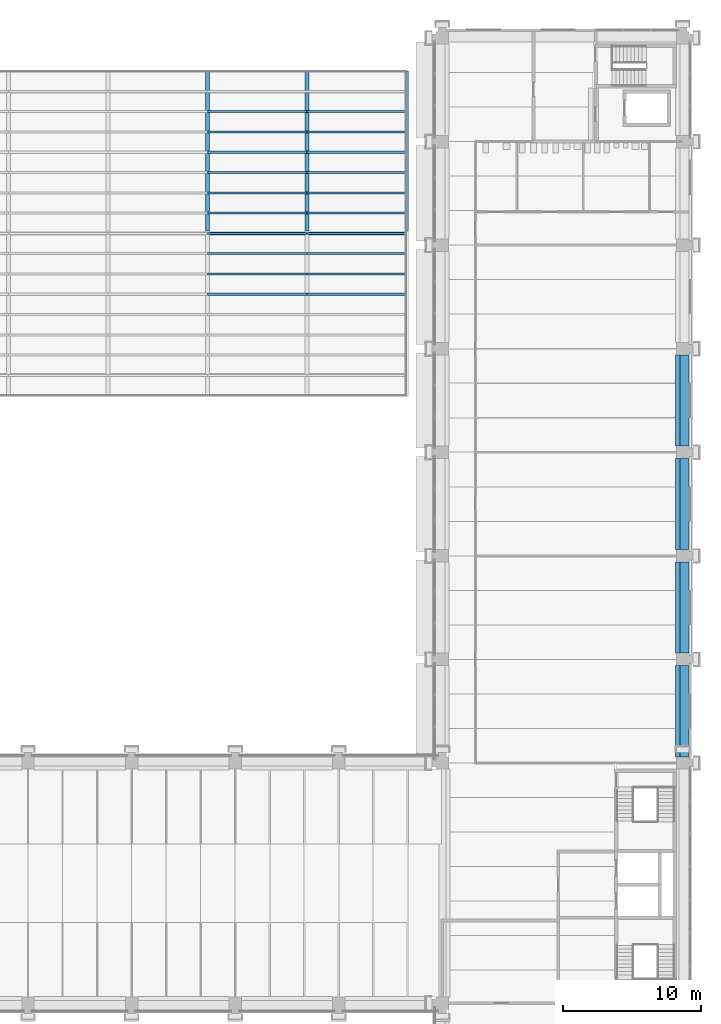
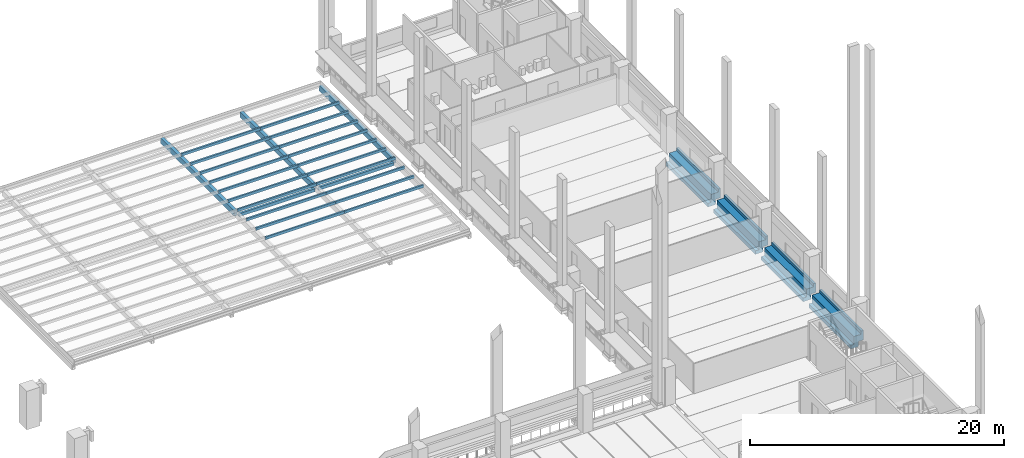
# One storey, part 24 of 67: 20 members, 9 beams.
"""IFC4 building model written with IfcOpenShell, lengths in metres."""

from ifc_helpers import new_model, si_unit, direction, frame, origin, origin_2d, place, context, subcontext, project, spatial, polyline, hollow_rectangle, outline, extrude, material, material_profile, profile_set, type_object, element, save


model = new_model("IFC4")

# Units and contexts
model_context = context("Model", 3, precision=1e-05, world=origin(), true_north=direction((0.0, 1.0)))
body_context = subcontext(model_context, "Body", "Model", "MODEL_VIEW")
ifc_project = project(units=[si_unit("LENGTHUNIT", "METRE"), si_unit("AREAUNIT", "SQUARE_METRE"), si_unit("VOLUMEUNIT", "CUBIC_METRE"), si_unit("PLANEANGLEUNIT", "RADIAN"), si_unit("MASSUNIT", "GRAM", prefix="KILO")], contexts=[model_context])

# Site, building, storey
site_placement = place(None, origin())
site = spatial("IfcSite", under=ifc_project, at=site_placement, CompositionType="ELEMENT")
building_placement = place(site_placement, origin())
building = spatial("IfcBuilding", under=site, at=building_placement, Name="Cour d'Honneur Mobility Palace", CompositionType="ELEMENT")
storey_placement = place(building_placement, frame((0.0, 0.0, 4.5)))
storey = spatial("IfcBuildingStorey", under=building, at=storey_placement, Name="L01", CompositionType="ELEMENT", Elevation=4.5)

# Beams
ifc_material_1 = material(Name="Steel S355", Category="steel")
ifc_material_profile_1 = material_profile(ifc_material_1, hollow_rectangle(XDim=0.300048828125, YDim=0.5, WallThickness=0.01611328125, at=origin_2d()), Name="RHS 500x300x16")
ifc_profile_set_1 = profile_set([ifc_material_profile_1], Name="Steel S355")
beam_type_1 = type_object("IfcBeamType", Name="Canopy main beam RHS 500x300x16", PredefinedType="BEAM", material=ifc_profile_set_1)
for number, where, z_axis, x_axis, name in (
    (1, (127.89990234375, 100.911865234375, 0.75), (0.0, 1.0, 0.0), (-1.0, 0.0, 0.0), "Canopy main beam FCM-E4.2"),
    (2, (135.10009765625, 100.911865234375, 0.75), (0.0, 1.0, 0.0), (-1.0, 0.0, 0.0), "Canopy main beam FCM-E5.2"),
    (3, (142.300048828125, 100.911865234375, 0.75), (0.0, 1.0, 0.0), (-1.0, 0.0, 0.0), "Canopy main beam FCM-E6.2"),
):
    element("IfcBeam", number, at=place(storey_placement, frame(where, z_axis=z_axis, x_axis=x_axis)), inside=storey, type_object=beam_type_1, Name=name, PredefinedType="BEAM", context=body_context, shape_type="SweptSolid", body=[
        extrude(hollow_rectangle(XDim=0.300048828125, YDim=0.5, WallThickness=0.01611328125, at=origin_2d()), origin(), (0.0, 0.0, 1.0), 11.588134765625),
    ])

# Members
ifc_material_2 = material(Name="Steel S355", Category="steel")
ifc_material_profile_2 = material_profile(ifc_material_2, hollow_rectangle(XDim=0.14990234375, YDim=0.25, WallThickness=0.010009765625, at=origin_2d()), Name="RHS 250x150x10")
ifc_profile_set_2 = profile_set([ifc_material_profile_2], Name="Steel S355")
member_type = type_object("IfcMemberType", Name="Canopy purlin RHS 250x150x10", PredefinedType="PURLIN", material=ifc_profile_set_2)
member_1_placement = place(storey_placement, frame((127.89990234375, 96.34375, 1.125), z_axis=(1.0, 0.0, 0.0), x_axis=(0.0, 1.0, 0.0)))
element("IfcMember", 4, at=member_1_placement, inside=storey, type_object=member_type, Name="Canopy purlin FCP-E6.4", PredefinedType="PURLIN", context=body_context, shape_type="SweptSolid", body=[
    extrude(hollow_rectangle(XDim=0.14990234375, YDim=0.25, WallThickness=0.010009765625, at=origin_2d()), origin(), (0.0, 0.0, 1.0), 7.2001953125),
])
member_2_placement = place(storey_placement, frame((135.10009765625, 96.34375, 1.125), z_axis=(1.0, 0.0, 0.0), x_axis=(0.0, 1.0, 0.0)))
element("IfcMember", 5, at=member_2_placement, inside=storey, type_object=member_type, Name="Canopy purlin FCP-E6.5", PredefinedType="PURLIN", context=body_context, shape_type="SweptSolid", body=[
    extrude(hollow_rectangle(XDim=0.14990234375, YDim=0.25, WallThickness=0.010009765625, at=origin_2d()), origin(), (0.0, 0.0, 1.0), 7.199951171875),
])
member_3_placement = place(storey_placement, frame((127.89990234375, 97.8125, 1.125), z_axis=(1.0, 0.0, 0.0), x_axis=(0.0, 1.0, 0.0)))
element("IfcMember", 6, at=member_3_placement, inside=storey, type_object=member_type, Name="Canopy purlin FCP-E7.4", PredefinedType="PURLIN", context=body_context, shape_type="SweptSolid", body=[
    extrude(hollow_rectangle(XDim=0.14990234375, YDim=0.25, WallThickness=0.010009765625, at=origin_2d()), origin(), (0.0, 0.0, 1.0), 7.2001953125),
])
member_4_placement = place(storey_placement, frame((135.10009765625, 97.8125, 1.125), z_axis=(1.0, 0.0, 0.0), x_axis=(0.0, 1.0, 0.0)))
element("IfcMember", 7, at=member_4_placement, inside=storey, type_object=member_type, Name="Canopy purlin FCP-E7.5", PredefinedType="PURLIN", context=body_context, shape_type="SweptSolid", body=[
    extrude(hollow_rectangle(XDim=0.14990234375, YDim=0.25, WallThickness=0.010009765625, at=origin_2d()), origin(), (0.0, 0.0, 1.0), 7.199951171875),
])
member_5_placement = place(storey_placement, frame((127.89990234375, 99.28125, 1.125), z_axis=(1.0, 0.0, 0.0), x_axis=(0.0, 1.0, 0.0)))
element("IfcMember", 8, at=member_5_placement, inside=storey, type_object=member_type, Name="Canopy purlin FCP-E8.4", PredefinedType="PURLIN", context=body_context, shape_type="SweptSolid", body=[
    extrude(hollow_rectangle(XDim=0.14990234375, YDim=0.25, WallThickness=0.010009765625, at=origin_2d()), origin(), (0.0, 0.0, 1.0), 7.2001953125),
])
member_6_placement = place(storey_placement, frame((135.10009765625, 99.28125, 1.125), z_axis=(1.0, 0.0, 0.0), x_axis=(0.0, 1.0, 0.0)))
element("IfcMember", 9, at=member_6_placement, inside=storey, type_object=member_type, Name="Canopy purlin FCP-E8.5", PredefinedType="PURLIN", context=body_context, shape_type="SweptSolid", body=[
    extrude(hollow_rectangle(XDim=0.14990234375, YDim=0.25, WallThickness=0.010009765625, at=origin_2d()), origin(), (0.0, 0.0, 1.0), 7.199951171875),
])
member_7_placement = place(storey_placement, frame((127.89990234375, 100.75, 1.125), z_axis=(1.0, 0.0, 0.0), x_axis=(0.0, 1.0, 0.0)))
element("IfcMember", 10, at=member_7_placement, inside=storey, type_object=member_type, Name="Canopy purlin FCP-E9.4", PredefinedType="PURLIN", context=body_context, shape_type="SweptSolid", body=[
    extrude(hollow_rectangle(XDim=0.14990234375, YDim=0.25, WallThickness=0.010009765625, at=origin_2d()), origin(), (0.0, 0.0, 1.0), 7.2001953125),
])
member_8_placement = place(storey_placement, frame((135.10009765625, 100.75, 1.125), z_axis=(1.0, 0.0, 0.0), x_axis=(0.0, 1.0, 0.0)))
element("IfcMember", 11, at=member_8_placement, inside=storey, type_object=member_type, Name="Canopy purlin FCP-E9.5", PredefinedType="PURLIN", context=body_context, shape_type="SweptSolid", body=[
    extrude(hollow_rectangle(XDim=0.14990234375, YDim=0.25, WallThickness=0.010009765625, at=origin_2d()), origin(), (0.0, 0.0, 1.0), 7.199951171875),
])
member_9_placement = place(storey_placement, frame((127.89990234375, 102.21875, 1.125), z_axis=(1.0, 0.0, 0.0), x_axis=(0.0, 1.0, 0.0)))
element("IfcMember", 12, at=member_9_placement, inside=storey, type_object=member_type, Name="Canopy purlin FCP-E10.4", PredefinedType="PURLIN", context=body_context, shape_type="SweptSolid", body=[
    extrude(hollow_rectangle(XDim=0.14990234375, YDim=0.25, WallThickness=0.010009765625, at=origin_2d()), origin(), (0.0, 0.0, 1.0), 7.2001953125),
])
member_10_placement = place(storey_placement, frame((135.10009765625, 102.21875, 1.125), z_axis=(1.0, 0.0, 0.0), x_axis=(0.0, 1.0, 0.0)))
element("IfcMember", 13, at=member_10_placement, inside=storey, type_object=member_type, Name="Canopy purlin FCP-E10.5", PredefinedType="PURLIN", context=body_context, shape_type="SweptSolid", body=[
    extrude(hollow_rectangle(XDim=0.14990234375, YDim=0.25, WallThickness=0.010009765625, at=origin_2d()), origin(), (0.0, 0.0, 1.0), 7.199951171875),
])
member_11_placement = place(storey_placement, frame((127.89990234375, 103.6875, 1.125), z_axis=(1.0, 0.0, 0.0), x_axis=(0.0, 1.0, 0.0)))
element("IfcMember", 14, at=member_11_placement, inside=storey, type_object=member_type, Name="Canopy purlin FCP-E11.4", PredefinedType="PURLIN", context=body_context, shape_type="SweptSolid", body=[
    extrude(hollow_rectangle(XDim=0.14990234375, YDim=0.25, WallThickness=0.010009765625, at=origin_2d()), origin(), (0.0, 0.0, 1.0), 7.2001953125),
])
member_12_placement = place(storey_placement, frame((135.10009765625, 103.6875, 1.125), z_axis=(1.0, 0.0, 0.0), x_axis=(0.0, 1.0, 0.0)))
element("IfcMember", 15, at=member_12_placement, inside=storey, type_object=member_type, Name="Canopy purlin FCP-E11.5", PredefinedType="PURLIN", context=body_context, shape_type="SweptSolid", body=[
    extrude(hollow_rectangle(XDim=0.14990234375, YDim=0.25, WallThickness=0.010009765625, at=origin_2d()), origin(), (0.0, 0.0, 1.0), 7.199951171875),
])
member_13_placement = place(storey_placement, frame((127.89990234375, 105.15625, 1.125), z_axis=(1.0, 0.0, 0.0), x_axis=(0.0, 1.0, 0.0)))
element("IfcMember", 16, at=member_13_placement, inside=storey, type_object=member_type, Name="Canopy purlin FCP-E12.4", PredefinedType="PURLIN", context=body_context, shape_type="SweptSolid", body=[
    extrude(hollow_rectangle(XDim=0.14990234375, YDim=0.25, WallThickness=0.010009765625, at=origin_2d()), origin(), (0.0, 0.0, 1.0), 7.2001953125),
])
member_14_placement = place(storey_placement, frame((135.10009765625, 105.15625, 1.125), z_axis=(1.0, 0.0, 0.0), x_axis=(0.0, 1.0, 0.0)))
element("IfcMember", 17, at=member_14_placement, inside=storey, type_object=member_type, Name="Canopy purlin FCP-E12.5", PredefinedType="PURLIN", context=body_context, shape_type="SweptSolid", body=[
    extrude(hollow_rectangle(XDim=0.14990234375, YDim=0.25, WallThickness=0.010009765625, at=origin_2d()), origin(), (0.0, 0.0, 1.0), 7.199951171875),
])
member_15_placement = place(storey_placement, frame((127.89990234375, 106.625, 1.125), z_axis=(1.0, 0.0, 0.0), x_axis=(0.0, 1.0, 0.0)))
element("IfcMember", 18, at=member_15_placement, inside=storey, type_object=member_type, Name="Canopy purlin FCP-E13.4", PredefinedType="PURLIN", context=body_context, shape_type="SweptSolid", body=[
    extrude(hollow_rectangle(XDim=0.14990234375, YDim=0.25, WallThickness=0.010009765625, at=origin_2d()), origin(), (0.0, 0.0, 1.0), 7.2001953125),
])
member_16_placement = place(storey_placement, frame((135.10009765625, 106.625, 1.125), z_axis=(1.0, 0.0, 0.0), x_axis=(0.0, 1.0, 0.0)))
element("IfcMember", 19, at=member_16_placement, inside=storey, type_object=member_type, Name="Canopy purlin FCP-E13.5", PredefinedType="PURLIN", context=body_context, shape_type="SweptSolid", body=[
    extrude(hollow_rectangle(XDim=0.14990234375, YDim=0.25, WallThickness=0.010009765625, at=origin_2d()), origin(), (0.0, 0.0, 1.0), 7.199951171875),
])
member_17_placement = place(storey_placement, frame((127.89990234375, 108.09375, 1.125), z_axis=(1.0, 0.0, 0.0), x_axis=(0.0, 1.0, 0.0)))
element("IfcMember", 20, at=member_17_placement, inside=storey, type_object=member_type, Name="Canopy purlin FCP-E14.4", PredefinedType="PURLIN", context=body_context, shape_type="SweptSolid", body=[
    extrude(hollow_rectangle(XDim=0.14990234375, YDim=0.25, WallThickness=0.010009765625, at=origin_2d()), origin(), (0.0, 0.0, 1.0), 7.2001953125),
])
member_18_placement = place(storey_placement, frame((135.10009765625, 108.09375, 1.125), z_axis=(1.0, 0.0, 0.0), x_axis=(0.0, 1.0, 0.0)))
element("IfcMember", 21, at=member_18_placement, inside=storey, type_object=member_type, Name="Canopy purlin FCP-E14.5", PredefinedType="PURLIN", context=body_context, shape_type="SweptSolid", body=[
    extrude(hollow_rectangle(XDim=0.14990234375, YDim=0.25, WallThickness=0.010009765625, at=origin_2d()), origin(), (0.0, 0.0, 1.0), 7.199951171875),
])
member_19_placement = place(storey_placement, frame((127.89990234375, 109.5625, 1.125), z_axis=(1.0, 0.0, 0.0), x_axis=(0.0, 1.0, 0.0)))
element("IfcMember", 22, at=member_19_placement, inside=storey, type_object=member_type, Name="Canopy purlin FCP-E15.4", PredefinedType="PURLIN", context=body_context, shape_type="SweptSolid", body=[
    extrude(hollow_rectangle(XDim=0.14990234375, YDim=0.25, WallThickness=0.010009765625, at=origin_2d()), origin(), (0.0, 0.0, 1.0), 7.2001953125),
])
member_20_placement = place(storey_placement, frame((135.10009765625, 109.5625, 1.125), z_axis=(1.0, 0.0, 0.0), x_axis=(0.0, 1.0, 0.0)))
element("IfcMember", 23, at=member_20_placement, inside=storey, type_object=member_type, Name="Canopy purlin FCP-E15.5", PredefinedType="PURLIN", context=body_context, shape_type="SweptSolid", body=[
    extrude(hollow_rectangle(XDim=0.14990234375, YDim=0.25, WallThickness=0.010009765625, at=origin_2d()), origin(), (0.0, 0.0, 1.0), 7.199951171875),
])

# Beams
ifc_material_3 = material(Name="Steel S355", Category="steel")
ifc_material_profile_3 = material_profile(ifc_material_3, hollow_rectangle(XDim=0.199951171875, YDim=0.300048828125, WallThickness=0.012451171875, at=origin_2d()), Name="RHS 300x200x12.5")
ifc_profile_set_3 = profile_set([ifc_material_profile_3], Name="Steel S355")
beam_type_2 = type_object("IfcBeamType", Name="Canopy tie beam RHS 300x200x12.5", PredefinedType="BEAM", material=ifc_profile_set_3)
for number, where, z_axis, x_axis, name in (
    (24, (128.06201171875, 100.75, 0.64990234375), (1.0, 0.0, 0.0), (0.0, 1.0, 0.0), "Canopy tie beam FCT-E2.4"),
    (25, (135.261962890625, 100.75, 0.64990234375), (1.0, 0.0, 0.0), (0.0, 1.0, 0.0), "Canopy tie beam FCT-E2.5"),
):
    element("IfcBeam", number, at=place(storey_placement, frame(where, z_axis=z_axis, x_axis=x_axis)), inside=storey, type_object=beam_type_2, Name=name, PredefinedType="BEAM", context=body_context, shape_type="SweptSolid", body=[
        extrude(hollow_rectangle(XDim=0.199951171875, YDim=0.300048828125, WallThickness=0.012451171875, at=origin_2d()), origin(), (0.0, 0.0, 1.0), 6.8759765625),
    ])
ifc_material_4 = material(Name="Concrete C45", Category="concrete")
ifc_material_profile_4 = material_profile(ifc_material_4, outline(polyline([(0.5, -1.10009765625), (0.5, -0.75), (0.199951171875, -0.75), (0.199951171875, 0.0), (-0.199951171875, 0.0), (-0.449951171875, 0.0), (-0.449951171875, 0.300048828125), (-0.64990234375, 0.300048828125), (-0.64990234375, -0.60009765625), (-0.199951171875, -0.60009765625), (-0.199951171875, -1.10009765625), (0.5, -1.10009765625)])), Name="Ledger Beam 400x1100 ledge left 350 facade right")
ifc_profile_set_4 = profile_set([ifc_material_profile_4], Name="Concrete C45")
beam_type_3 = type_object("IfcBeamType", Name="Ledger Beam 400x1100 ledge left 350 facade right", PredefinedType="BEAM", material=ifc_profile_set_4)
for number, where, z_axis, x_axis, name in (
    (26, (162.300048828125, 62.85009765625, 0.0), (0.0, 1.0, 0.0), (-1.0, 0.0, 0.0), "Precast beam B2 H-J L01"),
    (27, (162.300048828125, 70.35009765625, 0.0), (0.0, 1.0, 0.0), (-1.0, 0.0, 0.0), "Precast beam B2 J-K L01"),
    (28, (162.300048828125, 77.85009765625, 0.0), (0.0, 1.0, 0.0), (-1.0, 0.0, 0.0), "Precast beam B2 K-L L01"),
    (29, (162.300048828125, 85.35009765625, 0.0), (0.0, 1.0, 0.0), (-1.0, 0.0, 0.0), "Precast beam B2 L-M L01"),
):
    element("IfcBeam", number, at=place(storey_placement, frame(where, z_axis=z_axis, x_axis=x_axis)), inside=storey, type_object=beam_type_3, Name=name, PredefinedType="BEAM", context=body_context, shape_type="SweptSolid", body=[
        extrude(outline(polyline([(0.5, -1.10009765625), (0.5, -0.75), (0.199951171875, -0.75), (0.199951171875, 0.0), (-0.199951171875, 0.0), (-0.449951171875, 0.0), (-0.449951171875, 0.300048828125), (-0.64990234375, 0.300048828125), (-0.64990234375, -0.60009765625), (-0.199951171875, -0.60009765625), (-0.199951171875, -1.10009765625), (0.5, -1.10009765625)])), origin(), (0.0, 0.0, 1.0), 6.599853515625),
    ])

save(model, "model.ifc")
